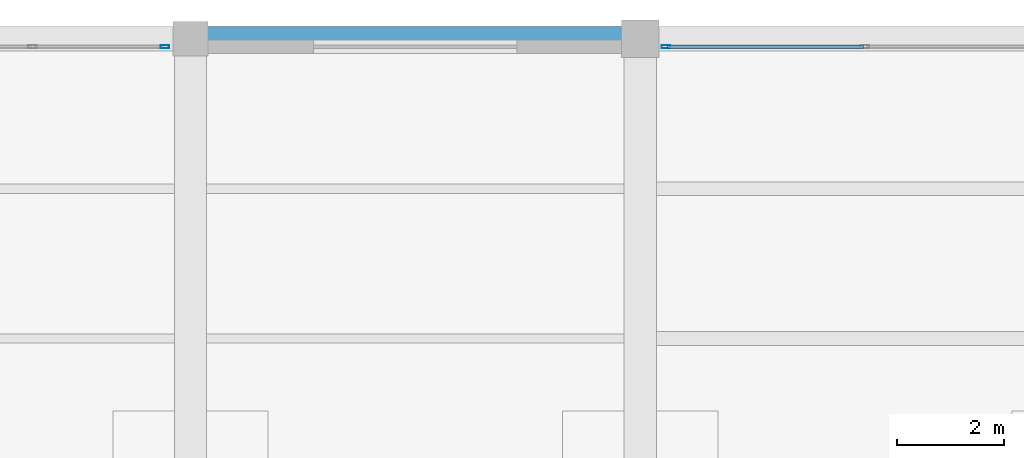
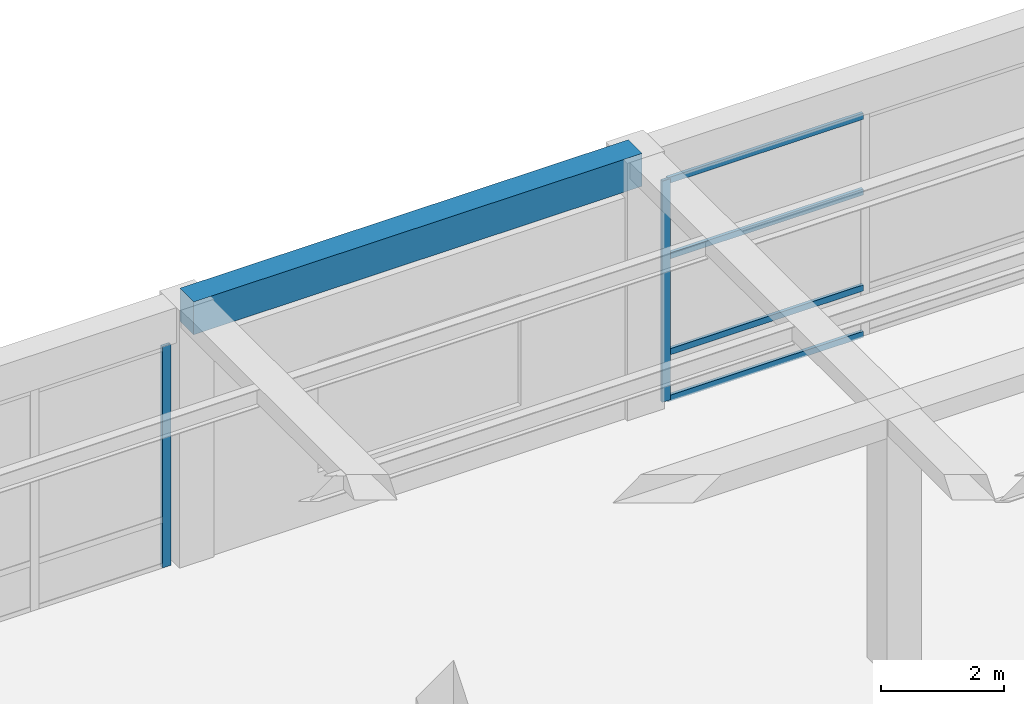
# One storey, part 60 of 95: 6 members, 1 beam, 2 elements without a shape of their own.
"""IFC4 building model written with IfcOpenShell, lengths in metres."""

from ifc_helpers import new_model, si_unit, direction, frame, origin, origin_2d, place, context, subcontext, project, spatial, rectangle, hollow_rectangle, extrude, material, material_profile, profile_set, type_object, element, aggregate, save


model = new_model("IFC4")

# Units and contexts
model_context = context("Model", 3, precision=1e-05, world=origin(), true_north=direction((0.0, 1.0)))
body_context = subcontext(model_context, "Body", "Model", "MODEL_VIEW")
ifc_project = project(units=[si_unit("LENGTHUNIT", "METRE"), si_unit("AREAUNIT", "SQUARE_METRE"), si_unit("VOLUMEUNIT", "CUBIC_METRE"), si_unit("PLANEANGLEUNIT", "RADIAN"), si_unit("MASSUNIT", "GRAM", prefix="KILO")], contexts=[model_context])

# Site, building, storey
site_placement = place(None, origin())
site = spatial("IfcSite", under=ifc_project, at=site_placement, CompositionType="ELEMENT")
building_placement = place(site_placement, origin())
building = spatial("IfcBuilding", under=site, at=building_placement, Name="Almacenes y Pasaje Nevantli", CompositionType="ELEMENT")
storey_placement = place(building_placement, frame((0.0, 0.0, 11.39990234375)))
storey = spatial("IfcBuildingStorey", under=building, at=storey_placement, Name="L03", CompositionType="ELEMENT", Elevation=11.39990234375)

# Beam
ifc_material_1 = material(Name="Concrete C35/45", Category="concrete")
ifc_material_profile_1 = material_profile(ifc_material_1, rectangle(XDim=0.449951171875, YDim=0.64990234375, at=origin_2d()), Name="RC-BM-450x650")
ifc_profile_set_1 = profile_set([ifc_material_profile_1], Name="Concrete C35/45")
beam_type = type_object("IfcBeamType", Name="BM-RC-450x650", PredefinedType="SPANDREL", material=ifc_profile_set_1)
beam_placement = place(storey_placement, frame((126.0, 117.60009765625, 4.775146484375), z_axis=(1.0, 0.0, 0.0), x_axis=(0.0, 1.0, 0.0)))
element("IfcBeam", 1, at=beam_placement, inside=storey, type_object=beam_type, Name="L03 East-West Reinforced Concrete Beam #2475", PredefinedType="SPANDREL", context=body_context, shape_type="SweptSolid", body=[
    extrude(rectangle(XDim=0.449951171875, YDim=0.64990234375, at=origin_2d()), origin(), (0.0, 0.0, 1.0), 8.39990234375),
])

# Curtain wall, member
ifc_material_2 = material(Name="Thermally Broken Aluminium and Low-E Glass", Category="aluminium")
curtain_wall_type = type_object("IfcCurtainWallType", Name="CW-STF-BLVD", PredefinedType="USERDEFINED", material=ifc_material_2)
curtain_wall_1_placement = place(storey_placement, origin())
curtain_wall_1 = element("IfcCurtainWall", 2, at=curtain_wall_1_placement, inside=storey, type_object=curtain_wall_type, Name="L03 North Boulevard Retail Curtain Wall Bay 15", ObjectType="STOREFRONT GLAZING", PredefinedType="USERDEFINED")
ifc_material_3 = material(Name="Thermally Broken Anodized Aluminium", Category="aluminium")
ifc_material_profile_2 = material_profile(ifc_material_3, hollow_rectangle(XDim=0.06005859375, YDim=0.159912109375, WallThickness=0.00390625, at=origin_2d()), Name="ALU-MUL-60x160")
ifc_profile_set_2 = profile_set([ifc_material_profile_2], Name="Thermally Broken Anodized Aluminium")
member_type_1 = type_object("IfcMemberType", Name="CW-MUL-180", PredefinedType="MULLION", material=ifc_profile_set_2)
member_1_placement = place(storey_placement, frame((125.52001953125, 117.449951171875, 0.0), z_axis=(0.0, 0.0, 1.0), x_axis=(0.0, 1.0, 0.0)))
member_1 = element("IfcMember", 3, at=member_1_placement, type_object=member_type_1, Name="CW-L03-042 mullion 4", PredefinedType="MULLION", context=body_context, shape_type="SweptSolid", body=[
    extrude(hollow_rectangle(XDim=0.06005859375, YDim=0.159912109375, WallThickness=0.00390625, at=origin_2d()), origin(), (0.0, 0.0, 1.0), 4.380126953125),
])
aggregate(curtain_wall_1, [member_1])

# Curtain wall, members
curtain_wall_2_placement = place(storey_placement, origin())
curtain_wall_2 = element("IfcCurtainWall", 4, at=curtain_wall_2_placement, inside=storey, type_object=curtain_wall_type, Name="L03 North Boulevard Retail Curtain Wall Bay 17", ObjectType="STOREFRONT GLAZING", PredefinedType="USERDEFINED")
member_2_placement = place(storey_placement, frame((134.8798828125, 117.449951171875, 0.0), z_axis=(0.0, 0.0, 1.0), x_axis=(0.0, 1.0, 0.0)))
member_2 = element("IfcMember", 5, at=member_2_placement, type_object=member_type_1, Name="CW-L03-043 mullion 1", PredefinedType="MULLION", context=body_context, shape_type="SweptSolid", body=[
    extrude(hollow_rectangle(XDim=0.06005859375, YDim=0.159912109375, WallThickness=0.00390625, at=origin_2d()), origin(), (0.0, 0.0, 1.0), 4.380126953125),
])
ifc_material_4 = material(Name="Thermally Broken Anodized Aluminium", Category="aluminium")
ifc_material_profile_3 = material_profile(ifc_material_4, hollow_rectangle(XDim=0.06005859375, YDim=0.1201171875, WallThickness=0.00341796875, at=origin_2d()), Name="ALU-TRN-60x120")
ifc_profile_set_3 = profile_set([ifc_material_profile_3], Name="Thermally Broken Anodized Aluminium")
member_type_2 = type_object("IfcMemberType", Name="CW-TRN-130", PredefinedType="USERDEFINED", material=ifc_profile_set_3)
member_3_placement = place(storey_placement, frame((134.909912109375, 117.449951171875, 0.030029296875), z_axis=(1.0, 0.0, 0.0), x_axis=(0.0, 1.0, 0.0)))
member_3 = element("IfcMember", 6, at=member_3_placement, type_object=member_type_2, Name="CW-L03-043 transom 1.1", ObjectType="TRANSOM", PredefinedType="USERDEFINED", context=body_context, shape_type="SweptSolid", body=[
    extrude(hollow_rectangle(XDim=0.06005859375, YDim=0.1201171875, WallThickness=0.00341796875, at=origin_2d()), origin(), (0.0, 0.0, 1.0), 3.66015625),
])
member_4_placement = place(storey_placement, frame((134.909912109375, 117.449951171875, 0.9501953125), z_axis=(1.0, 0.0, 0.0), x_axis=(0.0, 1.0, 0.0)))
member_4 = element("IfcMember", 7, at=member_4_placement, type_object=member_type_2, Name="CW-L03-043 transom 1.2", ObjectType="TRANSOM", PredefinedType="USERDEFINED", context=body_context, shape_type="SweptSolid", body=[
    extrude(hollow_rectangle(XDim=0.06005859375, YDim=0.1201171875, WallThickness=0.00341796875, at=origin_2d()), origin(), (0.0, 0.0, 1.0), 3.66015625),
])
member_5_placement = place(storey_placement, frame((134.909912109375, 117.449951171875, 2.85009765625), z_axis=(1.0, 0.0, 0.0), x_axis=(0.0, 1.0, 0.0)))
member_5 = element("IfcMember", 8, at=member_5_placement, type_object=member_type_2, Name="CW-L03-043 transom 1.3", ObjectType="TRANSOM", PredefinedType="USERDEFINED", context=body_context, shape_type="SweptSolid", body=[
    extrude(hollow_rectangle(XDim=0.06005859375, YDim=0.1201171875, WallThickness=0.00341796875, at=origin_2d()), origin(), (0.0, 0.0, 1.0), 3.66015625),
])
member_6_placement = place(storey_placement, frame((134.909912109375, 117.449951171875, 4.35009765625), z_axis=(1.0, 0.0, 0.0), x_axis=(0.0, 1.0, 0.0)))
member_6 = element("IfcMember", 9, at=member_6_placement, type_object=member_type_2, Name="CW-L03-043 transom 1.4", ObjectType="TRANSOM", PredefinedType="USERDEFINED", context=body_context, shape_type="SweptSolid", body=[
    extrude(hollow_rectangle(XDim=0.06005859375, YDim=0.1201171875, WallThickness=0.00341796875, at=origin_2d()), origin(), (0.0, 0.0, 1.0), 3.66015625),
])
aggregate(curtain_wall_2, [member_2, member_3, member_4, member_5, member_6])

save(model, "model.ifc")
